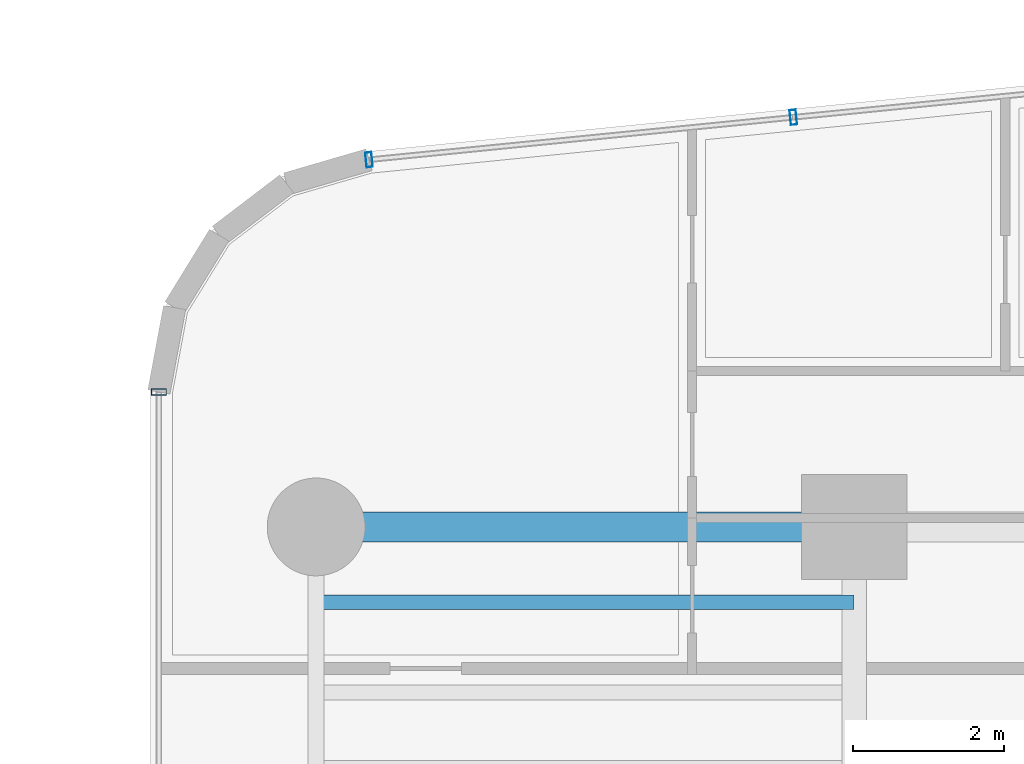
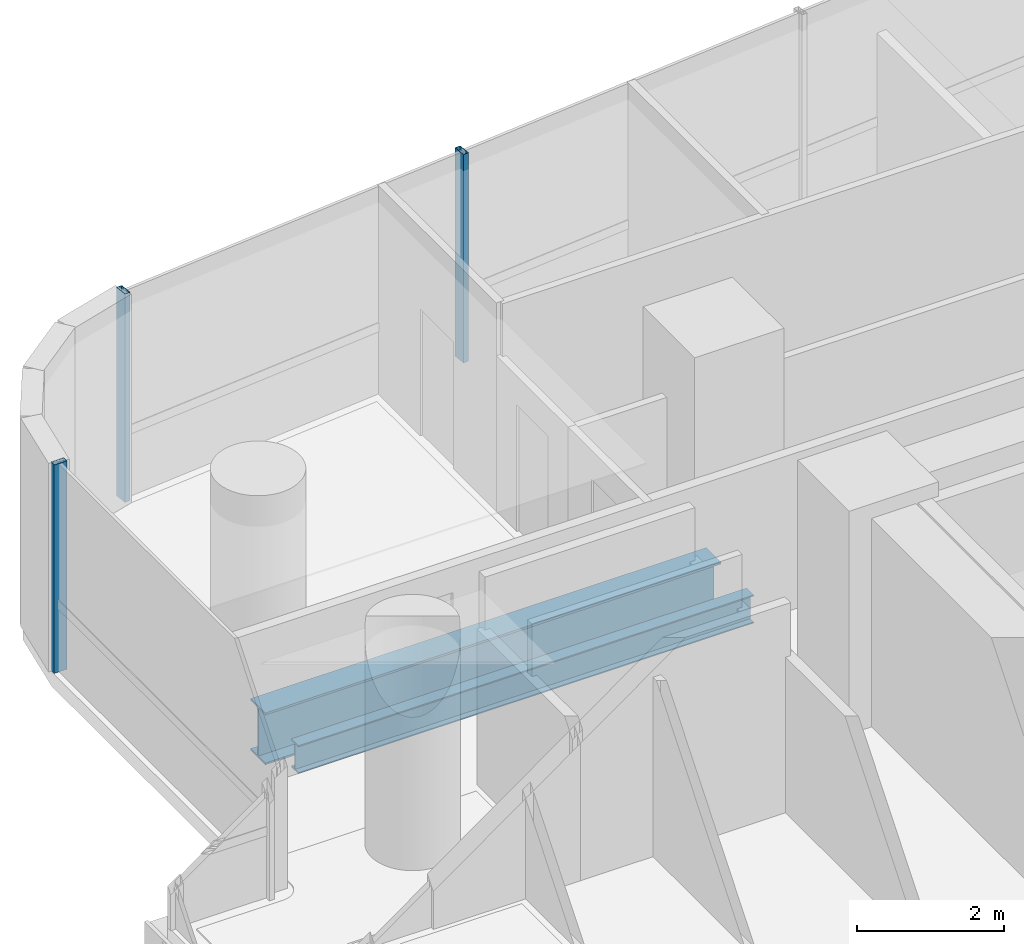
# One storey, part 17 of 40: 3 members, 2 beams, 2 elements without a shape of their own.
"""IFC4 building model written with IfcOpenShell, lengths in metres."""

from ifc_helpers import new_model, si_unit, direction, frame, origin, origin_2d, place, context, subcontext, project, spatial, hollow_rectangle, i_section, extrude, source, transform, mapped, material, material_profile, profile_set, type_object, element, aggregate, save


model = new_model("IFC4")

# Units and contexts
model_context = context("Model", 3, precision=1e-05, world=origin(), true_north=direction((0.0, 1.0)))
body_context = subcontext(model_context, "Body", "Model", "MODEL_VIEW")
ifc_project = project(units=[si_unit("LENGTHUNIT", "METRE"), si_unit("AREAUNIT", "SQUARE_METRE"), si_unit("VOLUMEUNIT", "CUBIC_METRE"), si_unit("PLANEANGLEUNIT", "RADIAN"), si_unit("MASSUNIT", "GRAM", prefix="KILO")], contexts=[model_context])

# Site, building, storey
site_placement = place(None, origin())
site = spatial("IfcSite", under=ifc_project, at=site_placement, CompositionType="ELEMENT")
building_placement = place(site_placement, origin())
building = spatial("IfcBuilding", under=site, at=building_placement, Name="Valdorenza Pilgrim Sanctuary Tower", CompositionType="ELEMENT")
storey_placement = place(building_placement, frame((0.0, 0.0, 40.800048828125)))
storey = spatial("IfcBuildingStorey", under=building, at=storey_placement, Name="L09", CompositionType="ELEMENT", Elevation=40.800048828125)

# Beams
ifc_material_1 = material(Name="Steel ASTM A992 Grade 50", Category="steel")
ifc_material_profile_1 = material_profile(ifc_material_1, i_section(OverallWidth=0.193115234375, OverallDepth=0.466064453125, WebThickness=0.011474609375, FlangeThickness=0.01904296875, at=origin_2d()), Name="W18X65")
ifc_profile_set_1 = profile_set([ifc_material_profile_1], Name="Steel ASTM A992 Grade 50")
beam_type_1 = type_object("IfcBeamType", Name="STR-BM-JST-W18A", PredefinedType="JOIST", material=ifc_profile_set_1)
shared_shape_1 = source(origin(), body_context, "Body", "SweptSolid", [
    extrude(i_section(OverallWidth=0.193115234375, OverallDepth=0.466064453125, WebThickness=0.011474609375, FlangeThickness=0.01904296875, at=origin_2d()), origin(), (0.0, 0.0, 1.0), 7.150146484375),
])
beam_1_placement = place(storey_placement, frame((-29.800048828125, 13.800048828125, -0.47314453125), z_axis=(1.0, 0.0, 0.0), x_axis=(0.0, 1.0, 0.0)))
element("IfcBeam", 1, at=beam_1_placement, inside=storey, type_object=beam_type_1, Name="L09 Composite Floor Joist JST-WA-26", PredefinedType="JOIST", context=body_context, shape_type="MappedRepresentation", body=[
    mapped(shared_shape_1, transform((0.0, 0.0, 0.0), x_axis=(1.0, 0.0, 0.0), y_axis=(0.0, 1.0, 0.0), z_axis=(0.0, 0.0, 1.0), scale=1.0)),
])
ifc_material_profile_2 = material_profile(ifc_material_1, i_section(OverallWidth=0.39990234375, OverallDepth=0.862060546875, WebThickness=0.019775390625, FlangeThickness=0.032470703125, at=origin_2d()), Name="W33X221")
ifc_profile_set_2 = profile_set([ifc_material_profile_2], Name="Steel ASTM A992 Grade 50")
beam_type_2 = type_object("IfcBeamType", Name="STR-BM-GRD-W33", PredefinedType="BEAM", material=ifc_profile_set_2)
shared_shape_2 = source(origin(), body_context, "Body", "SweptSolid", [
    extrude(i_section(OverallWidth=0.39990234375, OverallDepth=0.862060546875, WebThickness=0.019775390625, FlangeThickness=0.032470703125, at=origin_2d()), origin(), (0.0, 0.0, 1.0), 7.150146484375),
])
beam_2_placement = place(storey_placement, frame((-29.800048828125, 14.800048828125, -0.671142578125), z_axis=(1.0, 0.0, 0.0), x_axis=(0.0, 1.0, 0.0)))
element("IfcBeam", 2, at=beam_2_placement, inside=storey, type_object=beam_type_2, Name="L09 Floor Girder WA-XW-N2", PredefinedType="BEAM", context=body_context, shape_type="MappedRepresentation", body=[
    mapped(shared_shape_2, transform((0.0, 0.0, 0.0), x_axis=(1.0, 0.0, 0.0), y_axis=(0.0, 1.0, 0.0), z_axis=(0.0, 0.0, 1.0), scale=1.0)),
])

# Curtain wall, member
ifc_material_2 = material(Name="Curtain-wall IGU glazing", Category="glass")
curtain_wall_type = type_object("IfcCurtainWallType", Name="CW-SYS-02", PredefinedType="NOTDEFINED", material=ifc_material_2)
curtain_wall_1_placement = place(storey_placement, origin())
curtain_wall_1 = element("IfcCurtainWall", 3, at=curtain_wall_1_placement, inside=storey, type_object=curtain_wall_type, Name="L09 Curtain Wall CW-L09-1-1S2", PredefinedType="NOTDEFINED")
ifc_material_3 = material(Name="Anodised aluminium AW-6060", Category="aluminium")
ifc_material_profile_3 = material_profile(ifc_material_3, hollow_rectangle(XDim=0.0849609375, YDim=0.199951171875, WallThickness=0.0048828125, at=origin_2d()), Name="ALU-M 200x85x5")
ifc_profile_set_3 = profile_set([ifc_material_profile_3], Name="Anodised aluminium AW-6060")
member_type = type_object("IfcMemberType", Name="CW-MUL-02", PredefinedType="MULLION", material=ifc_profile_set_3)
shared_shape_3 = source(origin(), body_context, "Body", "SweptSolid", [
    extrude(hollow_rectangle(XDim=0.0849609375, YDim=0.199951171875, WallThickness=0.0048828125, at=origin_2d()), origin(), (0.0, 0.0, 1.0), 3.4599609375),
])
member_1_placement = place(storey_placement, frame((-31.889892578125, 16.593994140625, 0.0), z_axis=(0.0, 0.0, 1.0), x_axis=(0.0, 1.0, 0.0)))
member_1 = element("IfcMember", 4, at=member_1_placement, type_object=member_type, Name="CW-L09-1-1S2 Mullion 2", PredefinedType="MULLION", context=body_context, shape_type="MappedRepresentation", body=[
    mapped(shared_shape_3, transform((0.0, 0.0, 0.0), x_axis=(1.0, 0.0, 0.0), y_axis=(0.0, 1.0, 0.0), z_axis=(0.0, 0.0, 1.0), scale=1.0)),
])
aggregate(curtain_wall_1, [member_1])

# Curtain wall, members
curtain_wall_2_placement = place(storey_placement, origin())
curtain_wall_2 = element("IfcCurtainWall", 5, at=curtain_wall_2_placement, inside=storey, type_object=curtain_wall_type, Name="L09 Curtain Wall CW-L09-1-6", PredefinedType="NOTDEFINED")
member_2_placement = place(storey_placement, frame((-29.097412109375, 19.6796875, 0.0), z_axis=(0.0, 0.0, 1.0), x_axis=(0.995038220239, 0.099493418189, 0.0)))
member_2 = element("IfcMember", 6, at=member_2_placement, type_object=member_type, Name="CW-L09-1-6 Mullion 1", PredefinedType="MULLION", context=body_context, shape_type="MappedRepresentation", body=[
    mapped(shared_shape_3, transform((0.0, 0.0, 0.0), x_axis=(1.0, 0.0, 0.0), y_axis=(0.0, 1.0, 0.0), z_axis=(0.0, 0.0, 1.0), scale=1.0)),
])
member_3_placement = place(storey_placement, frame((-23.458984375, 20.24365234375, 0.0), z_axis=(0.0, 0.0, 1.0), x_axis=(0.995038220239, 0.099493418189, 0.0)))
member_3 = element("IfcMember", 7, at=member_3_placement, type_object=member_type, Name="CW-L09-1-6 Mullion 2", PredefinedType="MULLION", context=body_context, shape_type="MappedRepresentation", body=[
    mapped(shared_shape_3, transform((0.0, 0.0, 0.0), x_axis=(1.0, 0.0, 0.0), y_axis=(0.0, 1.0, 0.0), z_axis=(0.0, 0.0, 1.0), scale=1.0)),
])
aggregate(curtain_wall_2, [member_2, member_3])

save(model, "model.ifc")
